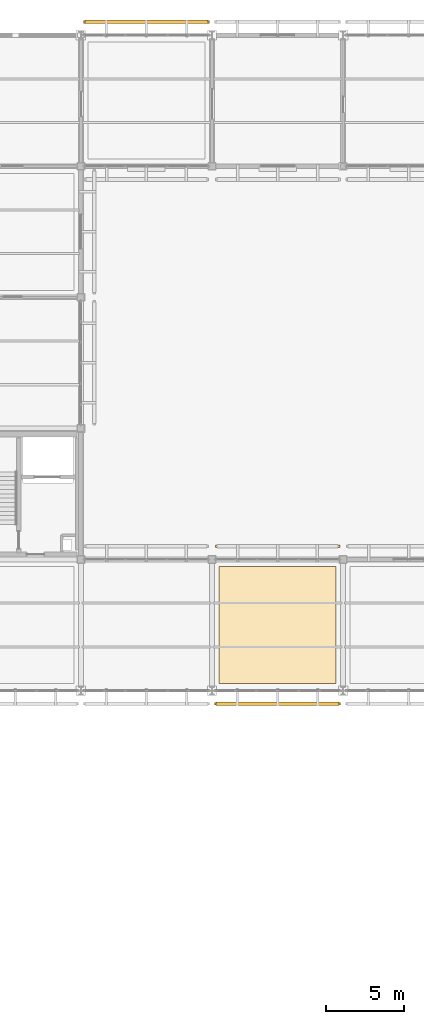
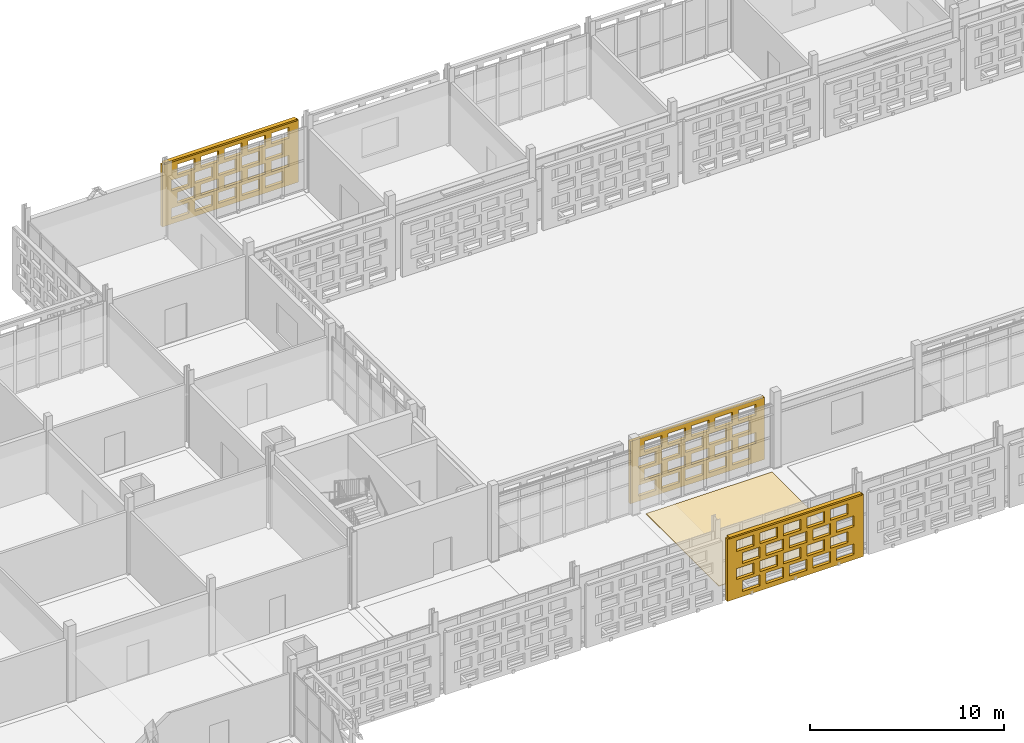
# One storey, part 169 of 203: 4 coverings, 2 shading devices, 60 openings.
"""IFC4 building model written with IfcOpenShell, lengths in metres."""

from ifc_helpers import new_model, si_unit, direction, frame, frame_2d, origin, origin_2d, place, context, subcontext, project, spatial, rectangle, extrude, material, layer, layer_set, type_object, element, save


model = new_model("IFC4")

# Units and contexts
model_context = context("Model", 3, precision=1e-05, world=origin(), true_north=direction((0.0, 1.0)))
body_context = subcontext(model_context, "Body", "Model", "MODEL_VIEW")
ifc_project = project(units=[si_unit("LENGTHUNIT", "METRE"), si_unit("AREAUNIT", "SQUARE_METRE"), si_unit("VOLUMEUNIT", "CUBIC_METRE"), si_unit("PLANEANGLEUNIT", "RADIAN"), si_unit("MASSUNIT", "GRAM", prefix="KILO")], contexts=[model_context])

# Site, building, storey
site_placement = place(None, origin())
site = spatial("IfcSite", under=ifc_project, at=site_placement, CompositionType="ELEMENT")
building_placement = place(site_placement, origin())
building = spatial("IfcBuilding", under=site, at=building_placement, Name="Varnapada Polytechnic", CompositionType="ELEMENT")
storey_placement = place(building_placement, frame((0.0, 0.0, 4.800048828125)))
storey = spatial("IfcBuildingStorey", under=building, at=storey_placement, Name="L01", CompositionType="ELEMENT", Elevation=4.800048828125)

# Covering
ifc_material_1 = material(Name="Acoustic Rubber Seminar Flooring")
ifc_layer_1 = layer(ifc_material_1, 0.0400390625)
ifc_layer_set_1 = layer_set([ifc_layer_1], Name="Acoustic Rubber Seminar Flooring")
covering_type_1 = type_object("IfcCoveringType", Name="Floor Finish FLR-06", PredefinedType="FLOORING", material=ifc_layer_set_1)
covering_1_placement = place(storey_placement, frame((71.39990234375, 88.199951171875, 0.0), z_axis=(0.0, 0.0, 1.0), x_axis=(1.0, 0.0, 0.0)))
element("IfcCovering", 1, at=covering_1_placement, inside=storey, type_object=covering_type_1, Name="L01 floor finish panel (9,11)", PredefinedType="FLOORING", context=body_context, shape_type="SweptSolid", body=[
    extrude(rectangle(XDim=7.5, YDim=7.5, at=origin_2d()), origin(), (0.0, 0.0, 1.0), 0.0400390625),
])

# Covering, openings
ifc_material_2 = material(Name="Earth-toned architectural terracotta screen block", Category="masonry")
ifc_layer_2 = layer(ifc_material_2, 0.1201171875)
ifc_layer_set_2 = layer_set([ifc_layer_2], Name="Earth-toned architectural terracotta screen block")
covering_type_2 = type_object("IfcCoveringType", Name="Terracotta Screen Cladding CLD-01", PredefinedType="CLADDING", material=ifc_layer_set_2)
covering_2_placement = place(storey_placement, frame((58.949951171875, 126.85009765625, 0.0), z_axis=(0.0, 0.0, 1.0), x_axis=(1.0, 0.0, 0.0)))
covering_2 = element("IfcCovering", 2, at=covering_2_placement, inside=storey, type_object=covering_type_2, Name="L01 perforated terracotta block screen (59)", PredefinedType="CLADDING", context=body_context, shape_type="SweptSolid", body=[
    extrude(rectangle(XDim=8.10009765625, YDim=0.179931640625, at=frame_2d((4.050048828125, 0.0))), origin(), (0.0, 0.0, 1.0), 3.919921875),
])
opening_1_placement = place(covering_2_placement, frame((0.550048828125, 0.0, 0.313720703125)))
element("IfcOpeningElement", 3, at=opening_1_placement, cuts=covering_2, Name="Screen perforation TBS-L01-058.1", PredefinedType="OPENING", context=body_context, shape_type="SweptSolid", body=[
    extrude(rectangle(XDim=1.0400390625, YDim=0.679931640625, at=frame_2d((0.52001953125, 0.33984375))), frame((0.0, 0.099853515625, 0.0), z_axis=(0.0, -1.0, 0.0), x_axis=(1.0, 0.0, 0.0)), (0.0, 0.0, 1.0), 0.199951171875),
])
opening_2_placement = place(covering_2_placement, frame((1.949951171875, 0.0, 0.313720703125)))
element("IfcOpeningElement", 4, at=opening_2_placement, cuts=covering_2, Name="Screen perforation TBS-L01-058.2", PredefinedType="OPENING", context=body_context, shape_type="SweptSolid", body=[
    extrude(rectangle(XDim=1.0400390625, YDim=0.679931640625, at=frame_2d((0.52001953125, 0.33984375))), frame((0.0, 0.099853515625, 0.0), z_axis=(0.0, -1.0, 0.0), x_axis=(1.0, 0.0, 0.0)), (0.0, 0.0, 1.0), 0.199951171875),
])
opening_3_placement = place(covering_2_placement, frame((3.35009765625, 0.0, 0.313720703125)))
element("IfcOpeningElement", 5, at=opening_3_placement, cuts=covering_2, Name="Screen perforation TBS-L01-058.3", PredefinedType="OPENING", context=body_context, shape_type="SweptSolid", body=[
    extrude(rectangle(XDim=1.0400390625, YDim=0.679931640625, at=frame_2d((0.52001953125, 0.33984375))), frame((0.0, 0.099853515625, 0.0), z_axis=(0.0, -1.0, 0.0), x_axis=(1.0, 0.0, 0.0)), (0.0, 0.0, 1.0), 0.199951171875),
])
opening_4_placement = place(covering_2_placement, frame((4.75, 0.0, 0.313720703125)))
element("IfcOpeningElement", 6, at=opening_4_placement, cuts=covering_2, Name="Screen perforation TBS-L01-058.4", PredefinedType="OPENING", context=body_context, shape_type="SweptSolid", body=[
    extrude(rectangle(XDim=1.0400390625, YDim=0.679931640625, at=frame_2d((0.52001953125, 0.33984375))), frame((0.0, 0.099853515625, 0.0), z_axis=(0.0, -1.0, 0.0), x_axis=(1.0, 0.0, 0.0)), (0.0, 0.0, 1.0), 0.199951171875),
])
opening_5_placement = place(covering_2_placement, frame((6.14990234375, 0.0, 0.313720703125)))
element("IfcOpeningElement", 7, at=opening_5_placement, cuts=covering_2, Name="Screen perforation TBS-L01-058.5", PredefinedType="OPENING", context=body_context, shape_type="SweptSolid", body=[
    extrude(rectangle(XDim=1.0400390625, YDim=0.679931640625, at=frame_2d((0.52001953125, 0.33984375))), frame((0.0, 0.099853515625, 0.0), z_axis=(0.0, -1.0, 0.0), x_axis=(1.0, 0.0, 0.0)), (0.0, 0.0, 1.0), 0.199951171875),
])
opening_6_placement = place(covering_2_placement, frame((0.909912109375, 0.0, 1.195556640625)))
element("IfcOpeningElement", 8, at=opening_6_placement, cuts=covering_2, Name="Screen perforation TBS-L01-058.6", PredefinedType="OPENING", context=body_context, shape_type="SweptSolid", body=[
    extrude(rectangle(XDim=1.0400390625, YDim=0.679931640625, at=frame_2d((0.52001953125, 0.33984375))), frame((0.0, 0.099853515625, 0.0), z_axis=(0.0, -1.0, 0.0), x_axis=(1.0, 0.0, 0.0)), (0.0, 0.0, 1.0), 0.199951171875),
])
opening_7_placement = place(covering_2_placement, frame((2.31005859375, 0.0, 1.195556640625)))
element("IfcOpeningElement", 9, at=opening_7_placement, cuts=covering_2, Name="Screen perforation TBS-L01-058.7", PredefinedType="OPENING", context=body_context, shape_type="SweptSolid", body=[
    extrude(rectangle(XDim=1.0400390625, YDim=0.679931640625, at=frame_2d((0.52001953125, 0.33984375))), frame((0.0, 0.099853515625, 0.0), z_axis=(0.0, -1.0, 0.0), x_axis=(1.0, 0.0, 0.0)), (0.0, 0.0, 1.0), 0.199951171875),
])
opening_8_placement = place(covering_2_placement, frame((3.7099609375, 0.0, 1.195556640625)))
element("IfcOpeningElement", 10, at=opening_8_placement, cuts=covering_2, Name="Screen perforation TBS-L01-058.8", PredefinedType="OPENING", context=body_context, shape_type="SweptSolid", body=[
    extrude(rectangle(XDim=1.0400390625, YDim=0.679931640625, at=frame_2d((0.52001953125, 0.33984375))), frame((0.0, 0.099853515625, 0.0), z_axis=(0.0, -1.0, 0.0), x_axis=(1.0, 0.0, 0.0)), (0.0, 0.0, 1.0), 0.199951171875),
])
opening_9_placement = place(covering_2_placement, frame((5.110107421875, 0.0, 1.195556640625)))
element("IfcOpeningElement", 11, at=opening_9_placement, cuts=covering_2, Name="Screen perforation TBS-L01-058.9", PredefinedType="OPENING", context=body_context, shape_type="SweptSolid", body=[
    extrude(rectangle(XDim=1.0400390625, YDim=0.679931640625, at=frame_2d((0.52001953125, 0.33984375))), frame((0.0, 0.099853515625, 0.0), z_axis=(0.0, -1.0, 0.0), x_axis=(1.0, 0.0, 0.0)), (0.0, 0.0, 1.0), 0.199951171875),
])
opening_10_placement = place(covering_2_placement, frame((6.510009765625, 0.0, 1.195556640625)))
element("IfcOpeningElement", 12, at=opening_10_placement, cuts=covering_2, Name="Screen perforation TBS-L01-058.10", PredefinedType="OPENING", context=body_context, shape_type="SweptSolid", body=[
    extrude(rectangle(XDim=1.0400390625, YDim=0.679931640625, at=frame_2d((0.52001953125, 0.33984375))), frame((0.0, 0.099853515625, 0.0), z_axis=(0.0, -1.0, 0.0), x_axis=(1.0, 0.0, 0.0)), (0.0, 0.0, 1.0), 0.199951171875),
])
opening_11_placement = place(covering_2_placement, frame((0.550048828125, 0.0, 2.07763671875)))
element("IfcOpeningElement", 13, at=opening_11_placement, cuts=covering_2, Name="Screen perforation TBS-L01-058.11", PredefinedType="OPENING", context=body_context, shape_type="SweptSolid", body=[
    extrude(rectangle(XDim=1.0400390625, YDim=0.679931640625, at=frame_2d((0.52001953125, 0.33984375))), frame((0.0, 0.099853515625, 0.0), z_axis=(0.0, -1.0, 0.0), x_axis=(1.0, 0.0, 0.0)), (0.0, 0.0, 1.0), 0.199951171875),
])
opening_12_placement = place(covering_2_placement, frame((1.949951171875, 0.0, 2.07763671875)))
element("IfcOpeningElement", 14, at=opening_12_placement, cuts=covering_2, Name="Screen perforation TBS-L01-058.12", PredefinedType="OPENING", context=body_context, shape_type="SweptSolid", body=[
    extrude(rectangle(XDim=1.0400390625, YDim=0.679931640625, at=frame_2d((0.52001953125, 0.33984375))), frame((0.0, 0.099853515625, 0.0), z_axis=(0.0, -1.0, 0.0), x_axis=(1.0, 0.0, 0.0)), (0.0, 0.0, 1.0), 0.199951171875),
])
opening_13_placement = place(covering_2_placement, frame((3.35009765625, 0.0, 2.07763671875)))
element("IfcOpeningElement", 15, at=opening_13_placement, cuts=covering_2, Name="Screen perforation TBS-L01-058.13", PredefinedType="OPENING", context=body_context, shape_type="SweptSolid", body=[
    extrude(rectangle(XDim=1.0400390625, YDim=0.679931640625, at=frame_2d((0.52001953125, 0.33984375))), frame((0.0, 0.099853515625, 0.0), z_axis=(0.0, -1.0, 0.0), x_axis=(1.0, 0.0, 0.0)), (0.0, 0.0, 1.0), 0.199951171875),
])
opening_14_placement = place(covering_2_placement, frame((4.75, 0.0, 2.07763671875)))
element("IfcOpeningElement", 16, at=opening_14_placement, cuts=covering_2, Name="Screen perforation TBS-L01-058.14", PredefinedType="OPENING", context=body_context, shape_type="SweptSolid", body=[
    extrude(rectangle(XDim=1.0400390625, YDim=0.679931640625, at=frame_2d((0.52001953125, 0.33984375))), frame((0.0, 0.099853515625, 0.0), z_axis=(0.0, -1.0, 0.0), x_axis=(1.0, 0.0, 0.0)), (0.0, 0.0, 1.0), 0.199951171875),
])
opening_15_placement = place(covering_2_placement, frame((6.14990234375, 0.0, 2.07763671875)))
element("IfcOpeningElement", 17, at=opening_15_placement, cuts=covering_2, Name="Screen perforation TBS-L01-058.15", PredefinedType="OPENING", context=body_context, shape_type="SweptSolid", body=[
    extrude(rectangle(XDim=1.0400390625, YDim=0.679931640625, at=frame_2d((0.52001953125, 0.33984375))), frame((0.0, 0.099853515625, 0.0), z_axis=(0.0, -1.0, 0.0), x_axis=(1.0, 0.0, 0.0)), (0.0, 0.0, 1.0), 0.199951171875),
])
opening_16_placement = place(covering_2_placement, frame((0.909912109375, 0.0, 2.959716796875)))
element("IfcOpeningElement", 18, at=opening_16_placement, cuts=covering_2, Name="Screen perforation TBS-L01-058.16", PredefinedType="OPENING", context=body_context, shape_type="SweptSolid", body=[
    extrude(rectangle(XDim=1.0400390625, YDim=0.679931640625, at=frame_2d((0.52001953125, 0.33984375))), frame((0.0, 0.099853515625, 0.0), z_axis=(0.0, -1.0, 0.0), x_axis=(1.0, 0.0, 0.0)), (0.0, 0.0, 1.0), 0.199951171875),
])
opening_17_placement = place(covering_2_placement, frame((2.31005859375, 0.0, 2.959716796875)))
element("IfcOpeningElement", 19, at=opening_17_placement, cuts=covering_2, Name="Screen perforation TBS-L01-058.17", PredefinedType="OPENING", context=body_context, shape_type="SweptSolid", body=[
    extrude(rectangle(XDim=1.0400390625, YDim=0.679931640625, at=frame_2d((0.52001953125, 0.33984375))), frame((0.0, 0.099853515625, 0.0), z_axis=(0.0, -1.0, 0.0), x_axis=(1.0, 0.0, 0.0)), (0.0, 0.0, 1.0), 0.199951171875),
])
opening_18_placement = place(covering_2_placement, frame((3.7099609375, 0.0, 2.959716796875)))
element("IfcOpeningElement", 20, at=opening_18_placement, cuts=covering_2, Name="Screen perforation TBS-L01-058.18", PredefinedType="OPENING", context=body_context, shape_type="SweptSolid", body=[
    extrude(rectangle(XDim=1.0400390625, YDim=0.679931640625, at=frame_2d((0.52001953125, 0.33984375))), frame((0.0, 0.099853515625, 0.0), z_axis=(0.0, -1.0, 0.0), x_axis=(1.0, 0.0, 0.0)), (0.0, 0.0, 1.0), 0.199951171875),
])
opening_19_placement = place(covering_2_placement, frame((5.110107421875, 0.0, 2.959716796875)))
element("IfcOpeningElement", 21, at=opening_19_placement, cuts=covering_2, Name="Screen perforation TBS-L01-058.19", PredefinedType="OPENING", context=body_context, shape_type="SweptSolid", body=[
    extrude(rectangle(XDim=1.0400390625, YDim=0.679931640625, at=frame_2d((0.52001953125, 0.33984375))), frame((0.0, 0.099853515625, 0.0), z_axis=(0.0, -1.0, 0.0), x_axis=(1.0, 0.0, 0.0)), (0.0, 0.0, 1.0), 0.199951171875),
])
opening_20_placement = place(covering_2_placement, frame((6.510009765625, 0.0, 2.959716796875)))
element("IfcOpeningElement", 22, at=opening_20_placement, cuts=covering_2, Name="Screen perforation TBS-L01-058.20", PredefinedType="OPENING", context=body_context, shape_type="SweptSolid", body=[
    extrude(rectangle(XDim=1.0400390625, YDim=0.679931640625, at=frame_2d((0.52001953125, 0.33984375))), frame((0.0, 0.099853515625, 0.0), z_axis=(0.0, -1.0, 0.0), x_axis=(1.0, 0.0, 0.0)), (0.0, 0.0, 1.0), 0.199951171875),
])

covering_3_placement = place(storey_placement, frame((75.449951171875, 83.14990234375, 0.0), z_axis=(0.0, 0.0, 1.0), x_axis=(-1.0, 0.0, 0.0)))
covering_3 = element("IfcCovering", 23, at=covering_3_placement, inside=storey, type_object=covering_type_2, Name="L01 perforated terracotta block screen (62)", PredefinedType="CLADDING", context=body_context, shape_type="SweptSolid", body=[
    extrude(rectangle(XDim=8.099853515625, YDim=0.179931640625, at=frame_2d((4.0498046875, 0.0))), origin(), (0.0, 0.0, 1.0), 3.919921875),
])
opening_21_placement = place(covering_3_placement, frame((0.550048828125, 0.0, 0.313720703125)))
element("IfcOpeningElement", 24, at=opening_21_placement, cuts=covering_3, Name="Screen perforation TBS-L01-061.1", PredefinedType="OPENING", context=body_context, shape_type="SweptSolid", body=[
    extrude(rectangle(XDim=1.0400390625, YDim=0.679931640625, at=frame_2d((0.52001953125, 0.33984375))), frame((0.0, 0.099853515625, 0.0), z_axis=(0.0, -1.0, 0.0), x_axis=(1.0, 0.0, 0.0)), (0.0, 0.0, 1.0), 0.199951171875),
])
opening_22_placement = place(covering_3_placement, frame((1.949951171875, 0.0, 0.313720703125)))
element("IfcOpeningElement", 25, at=opening_22_placement, cuts=covering_3, Name="Screen perforation TBS-L01-061.2", PredefinedType="OPENING", context=body_context, shape_type="SweptSolid", body=[
    extrude(rectangle(XDim=1.0400390625, YDim=0.679931640625, at=frame_2d((0.52001953125, 0.33984375))), frame((0.0, 0.099853515625, 0.0), z_axis=(0.0, -1.0, 0.0), x_axis=(1.0, 0.0, 0.0)), (0.0, 0.0, 1.0), 0.199951171875),
])
opening_23_placement = place(covering_3_placement, frame((3.35009765625, 0.0, 0.313720703125)))
element("IfcOpeningElement", 26, at=opening_23_placement, cuts=covering_3, Name="Screen perforation TBS-L01-061.3", PredefinedType="OPENING", context=body_context, shape_type="SweptSolid", body=[
    extrude(rectangle(XDim=1.0400390625, YDim=0.679931640625, at=frame_2d((0.52001953125, 0.33984375))), frame((0.0, 0.099853515625, 0.0), z_axis=(0.0, -1.0, 0.0), x_axis=(1.0, 0.0, 0.0)), (0.0, 0.0, 1.0), 0.199951171875),
])
opening_24_placement = place(covering_3_placement, frame((4.75, 0.0, 0.313720703125)))
element("IfcOpeningElement", 27, at=opening_24_placement, cuts=covering_3, Name="Screen perforation TBS-L01-061.4", PredefinedType="OPENING", context=body_context, shape_type="SweptSolid", body=[
    extrude(rectangle(XDim=1.0400390625, YDim=0.679931640625, at=frame_2d((0.52001953125, 0.33984375))), frame((0.0, 0.099853515625, 0.0), z_axis=(0.0, -1.0, 0.0), x_axis=(1.0, 0.0, 0.0)), (0.0, 0.0, 1.0), 0.199951171875),
])
opening_25_placement = place(covering_3_placement, frame((6.14990234375, 0.0, 0.313720703125)))
element("IfcOpeningElement", 28, at=opening_25_placement, cuts=covering_3, Name="Screen perforation TBS-L01-061.5", PredefinedType="OPENING", context=body_context, shape_type="SweptSolid", body=[
    extrude(rectangle(XDim=1.0400390625, YDim=0.679931640625, at=frame_2d((0.52001953125, 0.33984375))), frame((0.0, 0.099853515625, 0.0), z_axis=(0.0, -1.0, 0.0), x_axis=(1.0, 0.0, 0.0)), (0.0, 0.0, 1.0), 0.199951171875),
])
opening_26_placement = place(covering_3_placement, frame((0.909912109375, 0.0, 1.195556640625)))
element("IfcOpeningElement", 29, at=opening_26_placement, cuts=covering_3, Name="Screen perforation TBS-L01-061.6", PredefinedType="OPENING", context=body_context, shape_type="SweptSolid", body=[
    extrude(rectangle(XDim=1.0400390625, YDim=0.679931640625, at=frame_2d((0.52001953125, 0.33984375))), frame((0.0, 0.099853515625, 0.0), z_axis=(0.0, -1.0, 0.0), x_axis=(1.0, 0.0, 0.0)), (0.0, 0.0, 1.0), 0.199951171875),
])
opening_27_placement = place(covering_3_placement, frame((2.31005859375, 0.0, 1.195556640625)))
element("IfcOpeningElement", 30, at=opening_27_placement, cuts=covering_3, Name="Screen perforation TBS-L01-061.7", PredefinedType="OPENING", context=body_context, shape_type="SweptSolid", body=[
    extrude(rectangle(XDim=1.0400390625, YDim=0.679931640625, at=frame_2d((0.52001953125, 0.33984375))), frame((0.0, 0.099853515625, 0.0), z_axis=(0.0, -1.0, 0.0), x_axis=(1.0, 0.0, 0.0)), (0.0, 0.0, 1.0), 0.199951171875),
])
opening_28_placement = place(covering_3_placement, frame((3.7099609375, 0.0, 1.195556640625)))
element("IfcOpeningElement", 31, at=opening_28_placement, cuts=covering_3, Name="Screen perforation TBS-L01-061.8", PredefinedType="OPENING", context=body_context, shape_type="SweptSolid", body=[
    extrude(rectangle(XDim=1.0400390625, YDim=0.679931640625, at=frame_2d((0.52001953125, 0.33984375))), frame((0.0, 0.099853515625, 0.0), z_axis=(0.0, -1.0, 0.0), x_axis=(1.0, 0.0, 0.0)), (0.0, 0.0, 1.0), 0.199951171875),
])
opening_29_placement = place(covering_3_placement, frame((5.110107421875, 0.0, 1.195556640625)))
element("IfcOpeningElement", 32, at=opening_29_placement, cuts=covering_3, Name="Screen perforation TBS-L01-061.9", PredefinedType="OPENING", context=body_context, shape_type="SweptSolid", body=[
    extrude(rectangle(XDim=1.0400390625, YDim=0.679931640625, at=frame_2d((0.52001953125, 0.33984375))), frame((0.0, 0.099853515625, 0.0), z_axis=(0.0, -1.0, 0.0), x_axis=(1.0, 0.0, 0.0)), (0.0, 0.0, 1.0), 0.199951171875),
])
opening_30_placement = place(covering_3_placement, frame((6.510009765625, 0.0, 1.195556640625)))
element("IfcOpeningElement", 33, at=opening_30_placement, cuts=covering_3, Name="Screen perforation TBS-L01-061.10", PredefinedType="OPENING", context=body_context, shape_type="SweptSolid", body=[
    extrude(rectangle(XDim=1.0400390625, YDim=0.679931640625, at=frame_2d((0.52001953125, 0.33984375))), frame((0.0, 0.099853515625, 0.0), z_axis=(0.0, -1.0, 0.0), x_axis=(1.0, 0.0, 0.0)), (0.0, 0.0, 1.0), 0.199951171875),
])
opening_31_placement = place(covering_3_placement, frame((0.550048828125, 0.0, 2.07763671875)))
element("IfcOpeningElement", 34, at=opening_31_placement, cuts=covering_3, Name="Screen perforation TBS-L01-061.11", PredefinedType="OPENING", context=body_context, shape_type="SweptSolid", body=[
    extrude(rectangle(XDim=1.0400390625, YDim=0.679931640625, at=frame_2d((0.52001953125, 0.33984375))), frame((0.0, 0.099853515625, 0.0), z_axis=(0.0, -1.0, 0.0), x_axis=(1.0, 0.0, 0.0)), (0.0, 0.0, 1.0), 0.199951171875),
])
opening_32_placement = place(covering_3_placement, frame((1.949951171875, 0.0, 2.07763671875)))
element("IfcOpeningElement", 35, at=opening_32_placement, cuts=covering_3, Name="Screen perforation TBS-L01-061.12", PredefinedType="OPENING", context=body_context, shape_type="SweptSolid", body=[
    extrude(rectangle(XDim=1.0400390625, YDim=0.679931640625, at=frame_2d((0.52001953125, 0.33984375))), frame((0.0, 0.099853515625, 0.0), z_axis=(0.0, -1.0, 0.0), x_axis=(1.0, 0.0, 0.0)), (0.0, 0.0, 1.0), 0.199951171875),
])
opening_33_placement = place(covering_3_placement, frame((3.35009765625, 0.0, 2.07763671875)))
element("IfcOpeningElement", 36, at=opening_33_placement, cuts=covering_3, Name="Screen perforation TBS-L01-061.13", PredefinedType="OPENING", context=body_context, shape_type="SweptSolid", body=[
    extrude(rectangle(XDim=1.0400390625, YDim=0.679931640625, at=frame_2d((0.52001953125, 0.33984375))), frame((0.0, 0.099853515625, 0.0), z_axis=(0.0, -1.0, 0.0), x_axis=(1.0, 0.0, 0.0)), (0.0, 0.0, 1.0), 0.199951171875),
])
opening_34_placement = place(covering_3_placement, frame((4.75, 0.0, 2.07763671875)))
element("IfcOpeningElement", 37, at=opening_34_placement, cuts=covering_3, Name="Screen perforation TBS-L01-061.14", PredefinedType="OPENING", context=body_context, shape_type="SweptSolid", body=[
    extrude(rectangle(XDim=1.0400390625, YDim=0.679931640625, at=frame_2d((0.52001953125, 0.33984375))), frame((0.0, 0.099853515625, 0.0), z_axis=(0.0, -1.0, 0.0), x_axis=(1.0, 0.0, 0.0)), (0.0, 0.0, 1.0), 0.199951171875),
])
opening_35_placement = place(covering_3_placement, frame((6.14990234375, 0.0, 2.07763671875)))
element("IfcOpeningElement", 38, at=opening_35_placement, cuts=covering_3, Name="Screen perforation TBS-L01-061.15", PredefinedType="OPENING", context=body_context, shape_type="SweptSolid", body=[
    extrude(rectangle(XDim=1.0400390625, YDim=0.679931640625, at=frame_2d((0.52001953125, 0.33984375))), frame((0.0, 0.099853515625, 0.0), z_axis=(0.0, -1.0, 0.0), x_axis=(1.0, 0.0, 0.0)), (0.0, 0.0, 1.0), 0.199951171875),
])
opening_36_placement = place(covering_3_placement, frame((0.909912109375, 0.0, 2.959716796875)))
element("IfcOpeningElement", 39, at=opening_36_placement, cuts=covering_3, Name="Screen perforation TBS-L01-061.16", PredefinedType="OPENING", context=body_context, shape_type="SweptSolid", body=[
    extrude(rectangle(XDim=1.0400390625, YDim=0.679931640625, at=frame_2d((0.52001953125, 0.33984375))), frame((0.0, 0.099853515625, 0.0), z_axis=(0.0, -1.0, 0.0), x_axis=(1.0, 0.0, 0.0)), (0.0, 0.0, 1.0), 0.199951171875),
])
opening_37_placement = place(covering_3_placement, frame((2.31005859375, 0.0, 2.959716796875)))
element("IfcOpeningElement", 40, at=opening_37_placement, cuts=covering_3, Name="Screen perforation TBS-L01-061.17", PredefinedType="OPENING", context=body_context, shape_type="SweptSolid", body=[
    extrude(rectangle(XDim=1.0400390625, YDim=0.679931640625, at=frame_2d((0.52001953125, 0.33984375))), frame((0.0, 0.099853515625, 0.0), z_axis=(0.0, -1.0, 0.0), x_axis=(1.0, 0.0, 0.0)), (0.0, 0.0, 1.0), 0.199951171875),
])
opening_38_placement = place(covering_3_placement, frame((3.7099609375, 0.0, 2.959716796875)))
element("IfcOpeningElement", 41, at=opening_38_placement, cuts=covering_3, Name="Screen perforation TBS-L01-061.18", PredefinedType="OPENING", context=body_context, shape_type="SweptSolid", body=[
    extrude(rectangle(XDim=1.0400390625, YDim=0.679931640625, at=frame_2d((0.52001953125, 0.33984375))), frame((0.0, 0.099853515625, 0.0), z_axis=(0.0, -1.0, 0.0), x_axis=(1.0, 0.0, 0.0)), (0.0, 0.0, 1.0), 0.199951171875),
])
opening_39_placement = place(covering_3_placement, frame((5.110107421875, 0.0, 2.959716796875)))
element("IfcOpeningElement", 42, at=opening_39_placement, cuts=covering_3, Name="Screen perforation TBS-L01-061.19", PredefinedType="OPENING", context=body_context, shape_type="SweptSolid", body=[
    extrude(rectangle(XDim=1.0400390625, YDim=0.679931640625, at=frame_2d((0.52001953125, 0.33984375))), frame((0.0, 0.099853515625, 0.0), z_axis=(0.0, -1.0, 0.0), x_axis=(1.0, 0.0, 0.0)), (0.0, 0.0, 1.0), 0.199951171875),
])
opening_40_placement = place(covering_3_placement, frame((6.510009765625, 0.0, 2.959716796875)))
element("IfcOpeningElement", 43, at=opening_40_placement, cuts=covering_3, Name="Screen perforation TBS-L01-061.20", PredefinedType="OPENING", context=body_context, shape_type="SweptSolid", body=[
    extrude(rectangle(XDim=1.0400390625, YDim=0.679931640625, at=frame_2d((0.52001953125, 0.33984375))), frame((0.0, 0.099853515625, 0.0), z_axis=(0.0, -1.0, 0.0), x_axis=(1.0, 0.0, 0.0)), (0.0, 0.0, 1.0), 0.199951171875),
])

covering_4_placement = place(storey_placement, frame((67.409912109375, 93.25, 0.0), z_axis=(0.0, 0.0, 1.0), x_axis=(1.0, 0.0, 0.0)))
covering_4 = element("IfcCovering", 44, at=covering_4_placement, inside=storey, type_object=covering_type_2, Name="L01 perforated terracotta block screen (63)", PredefinedType="CLADDING", context=body_context, shape_type="SweptSolid", body=[
    extrude(rectangle(XDim=7.97998046875, YDim=0.179931640625, at=frame_2d((3.989990234375, 0.0))), origin(), (0.0, 0.0, 1.0), 3.919921875),
])
opening_41_placement = place(covering_4_placement, frame((0.489990234375, 0.0, 0.313720703125)))
element("IfcOpeningElement", 45, at=opening_41_placement, cuts=covering_4, Name="Screen perforation TBS-L01-062.1", PredefinedType="OPENING", context=body_context, shape_type="SweptSolid", body=[
    extrude(rectangle(XDim=1.0400390625, YDim=0.679931640625, at=frame_2d((0.52001953125, 0.33984375))), frame((0.0, 0.099853515625, 0.0), z_axis=(0.0, -1.0, 0.0), x_axis=(1.0, 0.0, 0.0)), (0.0, 0.0, 1.0), 0.199951171875),
])
opening_42_placement = place(covering_4_placement, frame((1.889892578125, 0.0, 0.313720703125)))
element("IfcOpeningElement", 46, at=opening_42_placement, cuts=covering_4, Name="Screen perforation TBS-L01-062.2", PredefinedType="OPENING", context=body_context, shape_type="SweptSolid", body=[
    extrude(rectangle(XDim=1.0400390625, YDim=0.679931640625, at=frame_2d((0.52001953125, 0.33984375))), frame((0.0, 0.099853515625, 0.0), z_axis=(0.0, -1.0, 0.0), x_axis=(1.0, 0.0, 0.0)), (0.0, 0.0, 1.0), 0.199951171875),
])
opening_43_placement = place(covering_4_placement, frame((3.2900390625, 0.0, 0.313720703125)))
element("IfcOpeningElement", 47, at=opening_43_placement, cuts=covering_4, Name="Screen perforation TBS-L01-062.3", PredefinedType="OPENING", context=body_context, shape_type="SweptSolid", body=[
    extrude(rectangle(XDim=1.0400390625, YDim=0.679931640625, at=frame_2d((0.52001953125, 0.33984375))), frame((0.0, 0.099853515625, 0.0), z_axis=(0.0, -1.0, 0.0), x_axis=(1.0, 0.0, 0.0)), (0.0, 0.0, 1.0), 0.199951171875),
])
opening_44_placement = place(covering_4_placement, frame((4.68994140625, 0.0, 0.313720703125)))
element("IfcOpeningElement", 48, at=opening_44_placement, cuts=covering_4, Name="Screen perforation TBS-L01-062.4", PredefinedType="OPENING", context=body_context, shape_type="SweptSolid", body=[
    extrude(rectangle(XDim=1.0400390625, YDim=0.679931640625, at=frame_2d((0.52001953125, 0.33984375))), frame((0.0, 0.099853515625, 0.0), z_axis=(0.0, -1.0, 0.0), x_axis=(1.0, 0.0, 0.0)), (0.0, 0.0, 1.0), 0.199951171875),
])
opening_45_placement = place(covering_4_placement, frame((6.090087890625, 0.0, 0.313720703125)))
element("IfcOpeningElement", 49, at=opening_45_placement, cuts=covering_4, Name="Screen perforation TBS-L01-062.5", PredefinedType="OPENING", context=body_context, shape_type="SweptSolid", body=[
    extrude(rectangle(XDim=1.0400390625, YDim=0.679931640625, at=frame_2d((0.52001953125, 0.33984375))), frame((0.0, 0.099853515625, 0.0), z_axis=(0.0, -1.0, 0.0), x_axis=(1.0, 0.0, 0.0)), (0.0, 0.0, 1.0), 0.199951171875),
])
opening_46_placement = place(covering_4_placement, frame((0.85009765625, 0.0, 1.195556640625)))
element("IfcOpeningElement", 50, at=opening_46_placement, cuts=covering_4, Name="Screen perforation TBS-L01-062.6", PredefinedType="OPENING", context=body_context, shape_type="SweptSolid", body=[
    extrude(rectangle(XDim=1.0400390625, YDim=0.679931640625, at=frame_2d((0.52001953125, 0.33984375))), frame((0.0, 0.099853515625, 0.0), z_axis=(0.0, -1.0, 0.0), x_axis=(1.0, 0.0, 0.0)), (0.0, 0.0, 1.0), 0.199951171875),
])
opening_47_placement = place(covering_4_placement, frame((2.25, 0.0, 1.195556640625)))
element("IfcOpeningElement", 51, at=opening_47_placement, cuts=covering_4, Name="Screen perforation TBS-L01-062.7", PredefinedType="OPENING", context=body_context, shape_type="SweptSolid", body=[
    extrude(rectangle(XDim=1.0400390625, YDim=0.679931640625, at=frame_2d((0.52001953125, 0.33984375))), frame((0.0, 0.099853515625, 0.0), z_axis=(0.0, -1.0, 0.0), x_axis=(1.0, 0.0, 0.0)), (0.0, 0.0, 1.0), 0.199951171875),
])
opening_48_placement = place(covering_4_placement, frame((3.64990234375, 0.0, 1.195556640625)))
element("IfcOpeningElement", 52, at=opening_48_placement, cuts=covering_4, Name="Screen perforation TBS-L01-062.8", PredefinedType="OPENING", context=body_context, shape_type="SweptSolid", body=[
    extrude(rectangle(XDim=1.0400390625, YDim=0.679931640625, at=frame_2d((0.52001953125, 0.33984375))), frame((0.0, 0.099853515625, 0.0), z_axis=(0.0, -1.0, 0.0), x_axis=(1.0, 0.0, 0.0)), (0.0, 0.0, 1.0), 0.199951171875),
])
opening_49_placement = place(covering_4_placement, frame((5.050048828125, 0.0, 1.195556640625)))
element("IfcOpeningElement", 53, at=opening_49_placement, cuts=covering_4, Name="Screen perforation TBS-L01-062.9", PredefinedType="OPENING", context=body_context, shape_type="SweptSolid", body=[
    extrude(rectangle(XDim=1.0400390625, YDim=0.679931640625, at=frame_2d((0.52001953125, 0.33984375))), frame((0.0, 0.099853515625, 0.0), z_axis=(0.0, -1.0, 0.0), x_axis=(1.0, 0.0, 0.0)), (0.0, 0.0, 1.0), 0.199951171875),
])
opening_50_placement = place(covering_4_placement, frame((6.449951171875, 0.0, 1.195556640625)))
element("IfcOpeningElement", 54, at=opening_50_placement, cuts=covering_4, Name="Screen perforation TBS-L01-062.10", PredefinedType="OPENING", context=body_context, shape_type="SweptSolid", body=[
    extrude(rectangle(XDim=1.0400390625, YDim=0.679931640625, at=frame_2d((0.52001953125, 0.33984375))), frame((0.0, 0.099853515625, 0.0), z_axis=(0.0, -1.0, 0.0), x_axis=(1.0, 0.0, 0.0)), (0.0, 0.0, 1.0), 0.199951171875),
])
opening_51_placement = place(covering_4_placement, frame((0.489990234375, 0.0, 2.07763671875)))
element("IfcOpeningElement", 55, at=opening_51_placement, cuts=covering_4, Name="Screen perforation TBS-L01-062.11", PredefinedType="OPENING", context=body_context, shape_type="SweptSolid", body=[
    extrude(rectangle(XDim=1.0400390625, YDim=0.679931640625, at=frame_2d((0.52001953125, 0.33984375))), frame((0.0, 0.099853515625, 0.0), z_axis=(0.0, -1.0, 0.0), x_axis=(1.0, 0.0, 0.0)), (0.0, 0.0, 1.0), 0.199951171875),
])
opening_52_placement = place(covering_4_placement, frame((1.889892578125, 0.0, 2.07763671875)))
element("IfcOpeningElement", 56, at=opening_52_placement, cuts=covering_4, Name="Screen perforation TBS-L01-062.12", PredefinedType="OPENING", context=body_context, shape_type="SweptSolid", body=[
    extrude(rectangle(XDim=1.0400390625, YDim=0.679931640625, at=frame_2d((0.52001953125, 0.33984375))), frame((0.0, 0.099853515625, 0.0), z_axis=(0.0, -1.0, 0.0), x_axis=(1.0, 0.0, 0.0)), (0.0, 0.0, 1.0), 0.199951171875),
])
opening_53_placement = place(covering_4_placement, frame((3.2900390625, 0.0, 2.07763671875)))
element("IfcOpeningElement", 57, at=opening_53_placement, cuts=covering_4, Name="Screen perforation TBS-L01-062.13", PredefinedType="OPENING", context=body_context, shape_type="SweptSolid", body=[
    extrude(rectangle(XDim=1.0400390625, YDim=0.679931640625, at=frame_2d((0.52001953125, 0.33984375))), frame((0.0, 0.099853515625, 0.0), z_axis=(0.0, -1.0, 0.0), x_axis=(1.0, 0.0, 0.0)), (0.0, 0.0, 1.0), 0.199951171875),
])
opening_54_placement = place(covering_4_placement, frame((4.68994140625, 0.0, 2.07763671875)))
element("IfcOpeningElement", 58, at=opening_54_placement, cuts=covering_4, Name="Screen perforation TBS-L01-062.14", PredefinedType="OPENING", context=body_context, shape_type="SweptSolid", body=[
    extrude(rectangle(XDim=1.0400390625, YDim=0.679931640625, at=frame_2d((0.52001953125, 0.33984375))), frame((0.0, 0.099853515625, 0.0), z_axis=(0.0, -1.0, 0.0), x_axis=(1.0, 0.0, 0.0)), (0.0, 0.0, 1.0), 0.199951171875),
])
opening_55_placement = place(covering_4_placement, frame((6.090087890625, 0.0, 2.07763671875)))
element("IfcOpeningElement", 59, at=opening_55_placement, cuts=covering_4, Name="Screen perforation TBS-L01-062.15", PredefinedType="OPENING", context=body_context, shape_type="SweptSolid", body=[
    extrude(rectangle(XDim=1.0400390625, YDim=0.679931640625, at=frame_2d((0.52001953125, 0.33984375))), frame((0.0, 0.099853515625, 0.0), z_axis=(0.0, -1.0, 0.0), x_axis=(1.0, 0.0, 0.0)), (0.0, 0.0, 1.0), 0.199951171875),
])
opening_56_placement = place(covering_4_placement, frame((0.85009765625, 0.0, 2.959716796875)))
element("IfcOpeningElement", 60, at=opening_56_placement, cuts=covering_4, Name="Screen perforation TBS-L01-062.16", PredefinedType="OPENING", context=body_context, shape_type="SweptSolid", body=[
    extrude(rectangle(XDim=1.0400390625, YDim=0.679931640625, at=frame_2d((0.52001953125, 0.33984375))), frame((0.0, 0.099853515625, 0.0), z_axis=(0.0, -1.0, 0.0), x_axis=(1.0, 0.0, 0.0)), (0.0, 0.0, 1.0), 0.199951171875),
])
opening_57_placement = place(covering_4_placement, frame((2.25, 0.0, 2.959716796875)))
element("IfcOpeningElement", 61, at=opening_57_placement, cuts=covering_4, Name="Screen perforation TBS-L01-062.17", PredefinedType="OPENING", context=body_context, shape_type="SweptSolid", body=[
    extrude(rectangle(XDim=1.0400390625, YDim=0.679931640625, at=frame_2d((0.52001953125, 0.33984375))), frame((0.0, 0.099853515625, 0.0), z_axis=(0.0, -1.0, 0.0), x_axis=(1.0, 0.0, 0.0)), (0.0, 0.0, 1.0), 0.199951171875),
])
opening_58_placement = place(covering_4_placement, frame((3.64990234375, 0.0, 2.959716796875)))
element("IfcOpeningElement", 62, at=opening_58_placement, cuts=covering_4, Name="Screen perforation TBS-L01-062.18", PredefinedType="OPENING", context=body_context, shape_type="SweptSolid", body=[
    extrude(rectangle(XDim=1.0400390625, YDim=0.679931640625, at=frame_2d((0.52001953125, 0.33984375))), frame((0.0, 0.099853515625, 0.0), z_axis=(0.0, -1.0, 0.0), x_axis=(1.0, 0.0, 0.0)), (0.0, 0.0, 1.0), 0.199951171875),
])
opening_59_placement = place(covering_4_placement, frame((5.050048828125, 0.0, 2.959716796875)))
element("IfcOpeningElement", 63, at=opening_59_placement, cuts=covering_4, Name="Screen perforation TBS-L01-062.19", PredefinedType="OPENING", context=body_context, shape_type="SweptSolid", body=[
    extrude(rectangle(XDim=1.0400390625, YDim=0.679931640625, at=frame_2d((0.52001953125, 0.33984375))), frame((0.0, 0.099853515625, 0.0), z_axis=(0.0, -1.0, 0.0), x_axis=(1.0, 0.0, 0.0)), (0.0, 0.0, 1.0), 0.199951171875),
])
opening_60_placement = place(covering_4_placement, frame((6.449951171875, 0.0, 2.959716796875)))
element("IfcOpeningElement", 64, at=opening_60_placement, cuts=covering_4, Name="Screen perforation TBS-L01-062.20", PredefinedType="OPENING", context=body_context, shape_type="SweptSolid", body=[
    extrude(rectangle(XDim=1.0400390625, YDim=0.679931640625, at=frame_2d((0.52001953125, 0.33984375))), frame((0.0, 0.099853515625, 0.0), z_axis=(0.0, -1.0, 0.0), x_axis=(1.0, 0.0, 0.0)), (0.0, 0.0, 1.0), 0.199951171875),
])

# Shading devices
ifc_layer_3 = layer(ifc_material_2, 0.179931640625)
ifc_layer_set_3 = layer_set([ifc_layer_3], Name="Earth-toned architectural terracotta screen block")
shading_device_type = type_object("IfcShadingDeviceType", Name="Terracotta Screen SCR-02", PredefinedType="USERDEFINED", material=ifc_layer_set_3)
for number, where, z_axis, x_axis, name in (
    (65, (63.0, 126.85009765625, 3.909912109375), (0.0, 0.0, 1.0), (1.0, 0.0, 0.0), "L01 perforated terracotta screen hood 138"),
    (66, (71.39990234375, 83.14990234375, 3.909912109375), (0.0, 0.0, 1.0), (-1.0, 0.0, 0.0), "L01 perforated terracotta screen hood 141"),
):
    element("IfcShadingDevice", number, at=place(storey_placement, frame(where, z_axis=z_axis, x_axis=x_axis)), inside=storey, type_object=shading_device_type, Name=name, ObjectType="SCREEN", PredefinedType="USERDEFINED", context=body_context, shape_type="SweptSolid", body=[
        extrude(rectangle(XDim=7.89990234375, YDim=0.239990234375, at=origin_2d()), origin(), (0.0, 0.0, 1.0), 0.10009765625),
    ])

save(model, "model.ifc")
